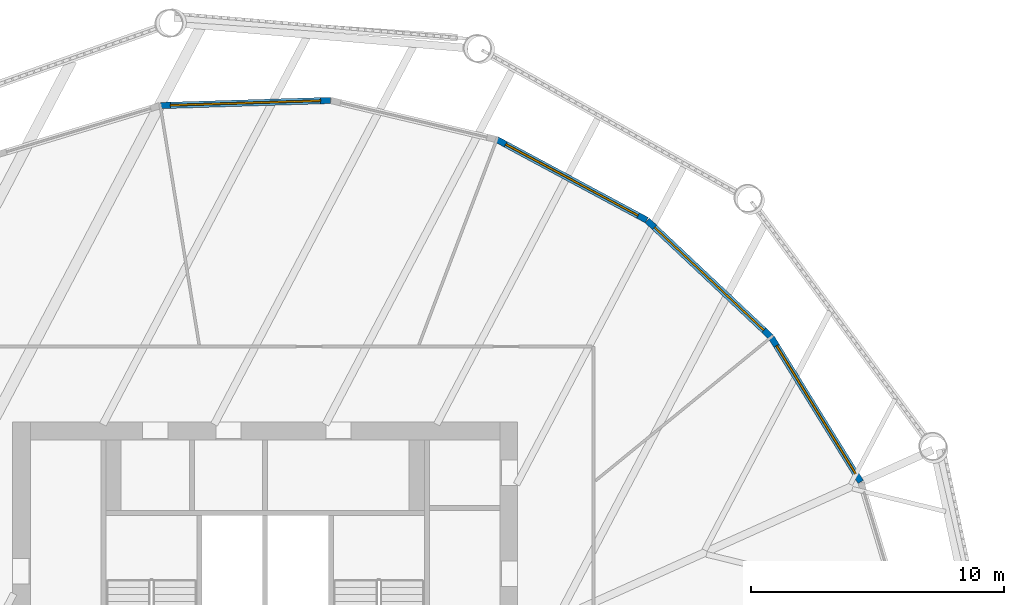
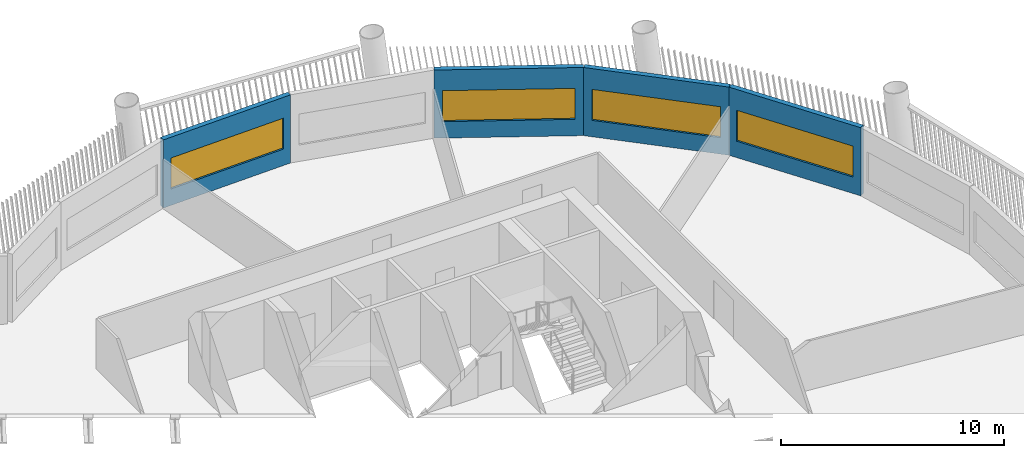
# One storey, part 7 of 15: 4 walls, 4 windows, 4 openings.
"""IFC4 building model written with IfcOpenShell, lengths in metres."""

import ifcopenshell
import ifcopenshell.guid

model = None  # the IFC model being written
_history = None  # IfcOwnerHistory: only IFC2X3 demands one
_inside = {}  # id of a spatial element -> (the spatial element, [elements in it])
_under = {}  # id of a project, library or spatial element -> (it, [spatial elements below it])
_declared = {}  # id of a project -> (the project, [libraries it declares])
_typed = {}  # id of a type object -> (the type object, [elements of that type])
_made_of = {}  # id of a material, layer set ... -> (it, [elements and type objects made of it])


def new_model(schema):
    """Start an empty IFC model of exactly this schema.

    Asked for "IFC4X3", IfcOpenShell would pick the latest addendum, in which some entities
    have other attributes; the version numbers below select the first issue.
    IFC2X3 requires an IfcOwnerHistory on every rooted entity: one is made here for all.
    """
    global model, _history
    if schema == "IFC4X3":
        model = ifcopenshell.file(schema_version=(4, 3, 0, 0))
    else:
        model = ifcopenshell.file(schema=schema)
    _inside.clear()
    _under.clear()
    _declared.clear()
    _typed.clear()
    _made_of.clear()
    _history = None
    if model.schema == "IFC2X3":
        org = make("IfcOrganization", Name="unknown")
        user = make(
            "IfcPersonAndOrganization",
            ThePerson=make("IfcPerson", FamilyName="unknown"),
            TheOrganization=org,
        )
        app = make(
            "IfcApplication",
            ApplicationDeveloper=org,
            Version="unknown",
            ApplicationFullName="unknown",
            ApplicationIdentifier="unknown",
        )
        _history = make(
            "IfcOwnerHistory",
            OwningUser=user,
            OwningApplication=app,
            ChangeAction="ADDED",
            CreationDate=0,
        )
    return model


def make(cls, **values):
    """One entity of the class cls with the attributes given. An attribute that is None is left unset."""
    return model.create_entity(
        cls, **{name: value for name, value in values.items() if value is not None}
    )


def rooted(cls, **values):
    """An entity with a GlobalId (a new one), such as an element, a storey or a relation."""
    return make(cls, GlobalId=ifcopenshell.guid.new(), OwnerHistory=_history, **values)


def si_unit(unit_type, name, prefix=None):
    """IfcSIUnit, for example si_unit("LENGTHUNIT", "METRE", prefix="MILLI")."""
    return make("IfcSIUnit", UnitType=unit_type, Prefix=prefix, Name=name)


def assignment(units):
    """IfcUnitAssignment: the units of a project."""
    return None if units is None else make("IfcUnitAssignment", Units=units)


def point(xyz):
    """IfcCartesianPoint."""
    return None if xyz is None else make("IfcCartesianPoint", Coordinates=xyz)


def direction(xyz):
    """IfcDirection."""
    return None if xyz is None else make("IfcDirection", DirectionRatios=xyz)


def frame(location, z_axis=None, x_axis=None):
    """IfcAxis2Placement3D, a coordinate frame: its origin and axes. An axis left out is left unset."""
    return make(
        "IfcAxis2Placement3D",
        Location=point(location),
        Axis=direction(z_axis),
        RefDirection=direction(x_axis),
    )


def frame_2d(location, x_axis=None):
    """IfcAxis2Placement2D, a coordinate frame in the plane: its origin and x axis."""
    return make(
        "IfcAxis2Placement2D", Location=point(location), RefDirection=direction(x_axis)
    )


def origin():
    """The frame at (0, 0, 0) with its axes left unset."""
    return frame((0.0, 0.0, 0.0))


def place(relative_to, where):
    """IfcLocalPlacement: puts the frame where relative to a parent placement (None: the world)."""
    return make(
        "IfcLocalPlacement", PlacementRelTo=relative_to, RelativePlacement=where
    )


def context(
    kind, dimensions, precision=None, world=None, true_north=None, identifier=None
):
    """IfcGeometricRepresentationContext, for example the 3D "Model" context."""
    return make(
        "IfcGeometricRepresentationContext",
        ContextIdentifier=identifier,
        ContextType=kind,
        CoordinateSpaceDimension=dimensions,
        Precision=precision,
        WorldCoordinateSystem=world,
        TrueNorth=true_north,
    )


def subcontext(parent, identifier, kind, view, scale=None):
    """IfcGeometricRepresentationSubContext, for example "Body" below "Model"."""
    return make(
        "IfcGeometricRepresentationSubContext",
        ContextIdentifier=identifier,
        ContextType=kind,
        ParentContext=parent,
        TargetScale=scale,
        TargetView=view,
    )


def project(units=None, contexts=None):
    """IfcProject with its units and contexts."""
    return rooted(
        "IfcProject",
        Name="project",
        RepresentationContexts=contexts,
        UnitsInContext=assignment(units),
    )


def spatial(cls, under=None, at=None, **own):
    """A site, building, storey or space (cls), placed at a placement, below another one or the project."""
    s = rooted(cls, ObjectPlacement=at, **own)
    if under is not None:
        _under.setdefault(under.id(), (under, []))[1].append(s)
    return s


def profile(cls, at=None, kind="AREA", **sizes):
    """A parametric profile (cls). Its sizes go by their IFC names, for example OverallWidth=200.0."""
    return make(cls, ProfileType=kind, Position=at, **sizes)


def rectangle(**sizes):
    """IfcRectangleProfileDef."""
    return profile("IfcRectangleProfileDef", **sizes)


def extrude(swept, where, along, depth):
    """IfcExtrudedAreaSolid: the profile swept, set in the frame where, extruded along a direction by depth."""
    return make(
        "IfcExtrudedAreaSolid",
        SweptArea=swept,
        Position=where,
        ExtrudedDirection=direction(along),
        Depth=depth,
    )


def shape(context_of_items, identifier, shape_type, items):
    """IfcShapeRepresentation: the items that make up one representation, for example the "Body"."""
    return make(
        "IfcShapeRepresentation",
        ContextOfItems=context_of_items,
        RepresentationIdentifier=identifier,
        RepresentationType=shape_type,
        Items=items,
    )


def material(Name=None, Category=None):
    """IfcMaterial."""
    return make("IfcMaterial", Name=Name, Category=Category)


def layer(
    of_material, thickness, ventilated=None, Name=None, Category=None, Priority=None
):
    """IfcMaterialLayer: one layer of a wall or slab, of a material (None: an air gap)."""
    return make(
        "IfcMaterialLayer",
        Material=of_material,
        LayerThickness=thickness,
        IsVentilated=ventilated,
        Name=Name,
        Category=Category,
        Priority=Priority,
    )


def layer_set(layers, Name=None):
    """IfcMaterialLayerSet."""
    return make("IfcMaterialLayerSet", MaterialLayers=layers, LayerSetName=Name)


def made_of(thing, what):
    """Note that an element or type object is made of a material, layer set ...; save() writes the relation."""
    if what is not None:
        _made_of.setdefault(what.id(), (what, []))[1].append(thing)
    return thing


def type_object(cls, material=None, **own):
    """A type object (cls), such as IfcWallType, which elements share."""
    return made_of(rooted(cls, **own), material)


def element(
    cls,
    number,
    at=None,
    inside=None,
    cuts=None,
    type_object=None,
    material=None,
    context=None,
    identifier="Body",
    shape_type=None,
    held_by="IfcProductDefinitionShape",
    body=None,
    shapes=None,
    **own,
):
    """One element of the class cls, such as IfcWall. Its Tag is "e" and its number.

    at: its placement. inside: the storey or other place that contains it. cuts: it is an
    opening in that element (IfcRelVoidsElement). A single representation is given by context,
    identifier, shape_type and body (its items); several are given by shapes. held_by: the class
    of the entity that holds the representations. save() writes the other relations.
    """
    e = rooted(cls, Tag="e%d" % number, ObjectPlacement=at, **own)
    if body is not None:
        shapes = [shape(context, identifier, shape_type, body)]
    if shapes is not None:
        e.Representation = make(held_by, Representations=shapes)
    if inside is not None:
        _inside.setdefault(inside.id(), (inside, []))[1].append(e)
    if cuts is not None:
        rooted(
            "IfcRelVoidsElement", RelatingBuildingElement=cuts, RelatedOpeningElement=e
        )
    if type_object is not None:
        _typed.setdefault(type_object.id(), (type_object, []))[1].append(e)
    return made_of(e, material)


def fill(opening, filler):
    """IfcRelFillsElement: the door or window that sits in an opening."""
    return rooted(
        "IfcRelFillsElement",
        RelatingOpeningElement=opening,
        RelatedBuildingElement=filler,
    )


def aggregate(whole, parts):
    """IfcRelAggregates: a whole, such as a stair, and the parts it consists of."""
    return rooted("IfcRelAggregates", RelatingObject=whole, RelatedObjects=parts)


def save(model, path):
    """Write the relations noted so far, then the file.

    IfcRelAggregates (storeys below a building ...), IfcRelContainedInSpatialStructure (elements
    in a storey), IfcRelDefinesByType, IfcRelAssociatesMaterial and IfcRelDeclares: one each for
    every whole, place, type object, material and project.
    """
    for whole, parts in _under.values():
        aggregate(whole, parts)
    for where, things in _inside.values():
        rooted(
            "IfcRelContainedInSpatialStructure",
            RelatedElements=things,
            RelatingStructure=where,
        )
    for kind, things in _typed.values():
        rooted("IfcRelDefinesByType", RelatedObjects=things, RelatingType=kind)
    for what, things in _made_of.values():
        rooted("IfcRelAssociatesMaterial", RelatedObjects=things, RelatingMaterial=what)
    for by, libraries in _declared.values():
        rooted("IfcRelDeclares", RelatingContext=by, RelatedDefinitions=libraries)
    model.write(path)


model = new_model("IFC4")

# Units and contexts
model_context = context("Model", 3, precision=1e-05, world=origin(), true_north=direction((0.0, 1.0)))
body_context = subcontext(model_context, "Body", "Model", "MODEL_VIEW")
ifc_project = project(units=[si_unit("LENGTHUNIT", "METRE"), si_unit("AREAUNIT", "SQUARE_METRE"), si_unit("VOLUMEUNIT", "CUBIC_METRE"), si_unit("PLANEANGLEUNIT", "RADIAN"), si_unit("MASSUNIT", "GRAM", prefix="KILO")], contexts=[model_context])

# Site, building, storey
site_placement = place(None, origin())
site = spatial("IfcSite", under=ifc_project, at=site_placement, CompositionType="ELEMENT")
building_placement = place(site_placement, origin())
building = spatial("IfcBuilding", under=site, at=building_placement, Name="Tarsis Ring Headquarters", CompositionType="ELEMENT")
storey_placement = place(building_placement, frame((0.0, 0.0, 167.10009765625)))
storey = spatial("IfcBuildingStorey", under=building, at=storey_placement, Name="L38", CompositionType="ELEMENT", Elevation=167.10009765625)

# Wall, opening, window
ifc_material_1 = material(Name="Terracotta clad insulated panel wall", Category="masonry")
ifc_layer = layer(ifc_material_1, 0.25)
ifc_layer_set = layer_set([ifc_layer], Name="Facade wall terracotta panel 250")
wall_type = type_object("IfcWallType", Name="Facade wall terracotta panel 250", PredefinedType="STANDARD", material=ifc_layer_set)
wall_1_placement = place(storey_placement, frame((23.583984375, 10.63671875, 0.0), z_axis=(0.0, 0.0, 1.0), x_axis=(-0.526055727064, 0.850450099667, 0.0)))
wall_1 = element("IfcWall", 1, at=wall_1_placement, inside=storey, type_object=wall_type, Name="External wall L38-24", PredefinedType="STANDARD", context=body_context, shape_type="SweptSolid", body=[
    extrude(rectangle(XDim=6.721435546875, YDim=0.25, at=frame_2d((3.36083984375, 0.0))), origin(), (0.0, 0.0, 1.0), 3.739990234375),
])
opening_1_placement = place(wall_1_placement, frame((0.3857421875, 0.0, 0.89990234375)))
opening_1 = element("IfcOpeningElement", 2, at=opening_1_placement, cuts=wall_1, Name="Opening WN07", PredefinedType="OPENING", context=body_context, shape_type="SweptSolid", body=[
    extrude(rectangle(XDim=5.949951171875, YDim=1.699951171875, at=frame_2d((2.97509765625, 0.85009765625))), frame((0.0, 0.135009765625, 0.0), z_axis=(0.0, -1.0, 0.0), x_axis=(1.0, 0.0, 0.0)), (0.0, 0.0, 1.0), 0.27001953125),
])
ifc_material_2 = material(Name="Aluminium framed double glazing", Category="aluminium")
window_type = type_object("IfcWindowType", Name="Facade window 5950 x 1700", PartitioningType="SINGLE_PANEL", PredefinedType="WINDOW", material=ifc_material_2)
window_1_placement = place(opening_1_placement, origin())
window_1 = element("IfcWindow", 3, at=window_1_placement, inside=storey, type_object=window_type, Name="Window L38-24.1", OverallHeight=1.699951171875, OverallWidth=5.949951171875, PartitioningType="SINGLE_PANEL", PredefinedType="WINDOW", context=body_context, shape_type="SweptSolid", body=[
    extrude(rectangle(XDim=5.949951171875, YDim=1.699951171875, at=frame_2d((2.97509765625, 0.85009765625))), frame((0.0, 0.030029296875, 0.0), z_axis=(0.0, -1.0, 0.0), x_axis=(1.0, 0.0, 0.0)), (0.0, 0.0, 1.0), 0.06005859375),
])
fill(opening_1, window_1)

wall_2_placement = place(storey_placement, frame((20.02734375, 16.37841796875, 0.0), z_axis=(0.0, 0.0, 1.0), x_axis=(-0.728247977794, 0.685313711259, 0.0)))
wall_2 = element("IfcWall", 4, at=wall_2_placement, inside=storey, type_object=wall_type, Name="External wall L38-25", PredefinedType="STANDARD", context=body_context, shape_type="SweptSolid", body=[
    extrude(rectangle(XDim=6.72119140625, YDim=0.25, at=frame_2d((3.360595703125, 0.0))), origin(), (0.0, 0.0, 1.0), 3.739990234375),
])
opening_2_placement = place(wall_2_placement, frame((0.3857421875, 0.0, 0.89990234375)))
opening_2 = element("IfcOpeningElement", 5, at=opening_2_placement, cuts=wall_2, Name="Opening WN07", PredefinedType="OPENING", context=body_context, shape_type="SweptSolid", body=[
    extrude(rectangle(XDim=5.949951171875, YDim=1.699951171875, at=frame_2d((2.97509765625, 0.85009765625))), frame((0.0, 0.135009765625, 0.0), z_axis=(0.0, -1.0, 0.0), x_axis=(1.0, 0.0, 0.0)), (0.0, 0.0, 1.0), 0.27001953125),
])
window_2_placement = place(opening_2_placement, origin())
window_2 = element("IfcWindow", 6, at=window_2_placement, inside=storey, type_object=window_type, Name="Window L38-25.1", OverallHeight=1.699951171875, OverallWidth=5.949951171875, PartitioningType="SINGLE_PANEL", PredefinedType="WINDOW", context=body_context, shape_type="SweptSolid", body=[
    extrude(rectangle(XDim=5.949951171875, YDim=1.699951171875, at=frame_2d((2.97509765625, 0.85009765625))), frame((0.0, 0.030029296875, 0.0), z_axis=(0.0, -1.0, 0.0), x_axis=(1.0, 0.0, 0.0)), (0.0, 0.0, 1.0), 0.06005859375),
])
fill(opening_2, window_2)

wall_3_placement = place(storey_placement, frame((15.10595703125, 21.003662109375, 0.0), z_axis=(0.0, 0.0, 1.0), x_axis=(-0.880799782179, 0.473488905587, 0.0)))
wall_3 = element("IfcWall", 7, at=wall_3_placement, inside=storey, type_object=wall_type, Name="External wall L38-26", PredefinedType="STANDARD", context=body_context, shape_type="SweptSolid", body=[
    extrude(rectangle(XDim=6.7216796875, YDim=0.25, at=frame_2d((3.36083984375, 0.0))), origin(), (0.0, 0.0, 1.0), 3.739990234375),
])
opening_3_placement = place(wall_3_placement, frame((0.3857421875, 0.0, 0.89990234375)))
opening_3 = element("IfcOpeningElement", 8, at=opening_3_placement, cuts=wall_3, Name="Opening WN07", PredefinedType="OPENING", context=body_context, shape_type="SweptSolid", body=[
    extrude(rectangle(XDim=5.949951171875, YDim=1.699951171875, at=frame_2d((2.97509765625, 0.85009765625))), frame((0.0, 0.135009765625, 0.0), z_axis=(0.0, -1.0, 0.0), x_axis=(1.0, 0.0, 0.0)), (0.0, 0.0, 1.0), 0.27001953125),
])
window_3_placement = place(opening_3_placement, origin())
window_3 = element("IfcWindow", 9, at=window_3_placement, inside=storey, type_object=window_type, Name="Window L38-26.1", OverallHeight=1.699951171875, OverallWidth=5.949951171875, PartitioningType="SINGLE_PANEL", PredefinedType="WINDOW", context=body_context, shape_type="SweptSolid", body=[
    extrude(rectangle(XDim=5.949951171875, YDim=1.699951171875, at=frame_2d((2.97509765625, 0.85009765625))), frame((0.0, 0.030029296875, 0.0), z_axis=(0.0, -1.0, 0.0), x_axis=(1.0, 0.0, 0.0)), (0.0, 0.0, 1.0), 0.06005859375),
])
fill(opening_3, window_3)

wall_4_placement = place(storey_placement, frame((2.580322265625, 25.74267578125, 0.0), z_axis=(0.0, 0.0, 1.0), x_axis=(-0.999538876997, -0.030365002405, 0.0)))
wall_4 = element("IfcWall", 10, at=wall_4_placement, inside=storey, type_object=wall_type, Name="External wall L38-28", PredefinedType="STANDARD", context=body_context, shape_type="SweptSolid", body=[
    extrude(rectangle(XDim=6.7216796875, YDim=0.25, at=frame_2d((3.36083984375, 0.0))), origin(), (0.0, 0.0, 1.0), 3.739990234375),
])
opening_4_placement = place(wall_4_placement, frame((0.3857421875, 0.0, 0.89990234375)))
opening_4 = element("IfcOpeningElement", 11, at=opening_4_placement, cuts=wall_4, Name="Opening WN07", PredefinedType="OPENING", context=body_context, shape_type="SweptSolid", body=[
    extrude(rectangle(XDim=5.949951171875, YDim=1.699951171875, at=frame_2d((2.97509765625, 0.85009765625))), frame((0.0, 0.135009765625, 0.0), z_axis=(0.0, -1.0, 0.0), x_axis=(1.0, 0.0, 0.0)), (0.0, 0.0, 1.0), 0.27001953125),
])
window_4_placement = place(opening_4_placement, origin())
window_4 = element("IfcWindow", 12, at=window_4_placement, inside=storey, type_object=window_type, Name="Window L38-28.1", OverallHeight=1.699951171875, OverallWidth=5.949951171875, PartitioningType="SINGLE_PANEL", PredefinedType="WINDOW", context=body_context, shape_type="SweptSolid", body=[
    extrude(rectangle(XDim=5.949951171875, YDim=1.699951171875, at=frame_2d((2.97509765625, 0.85009765625))), frame((0.0, 0.030029296875, 0.0), z_axis=(0.0, -1.0, 0.0), x_axis=(1.0, 0.0, 0.0)), (0.0, 0.0, 1.0), 0.06005859375),
])
fill(opening_4, window_4)

save(model, "model.ifc")
